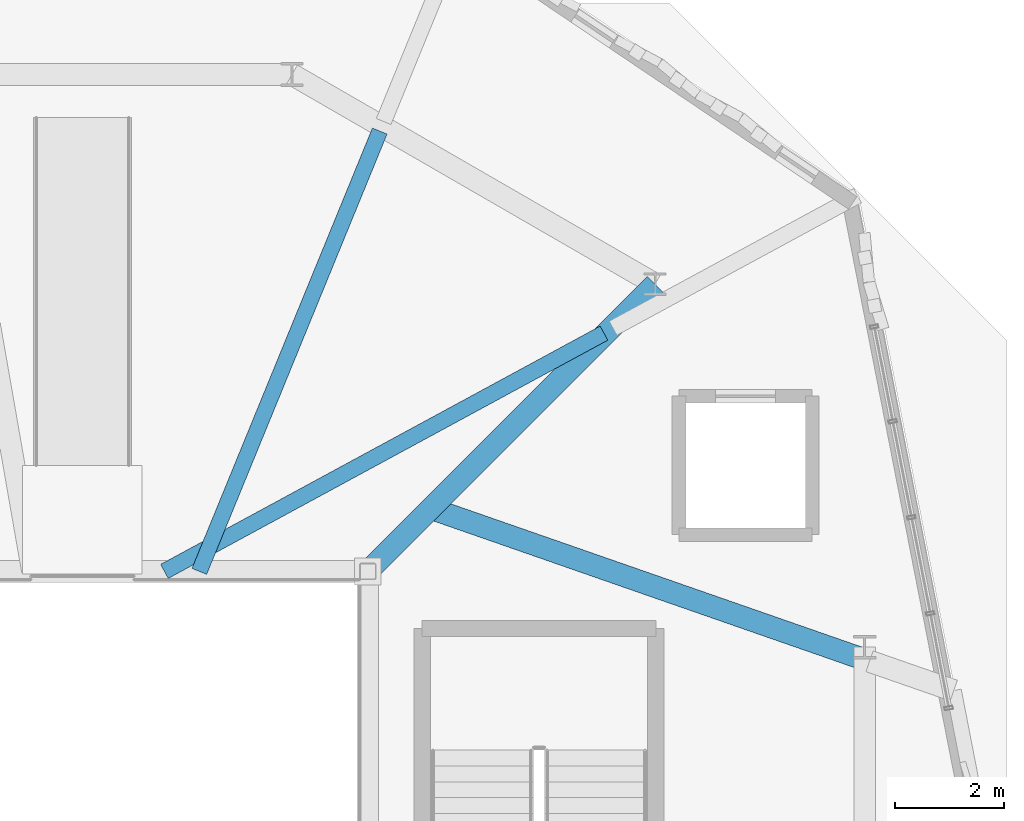
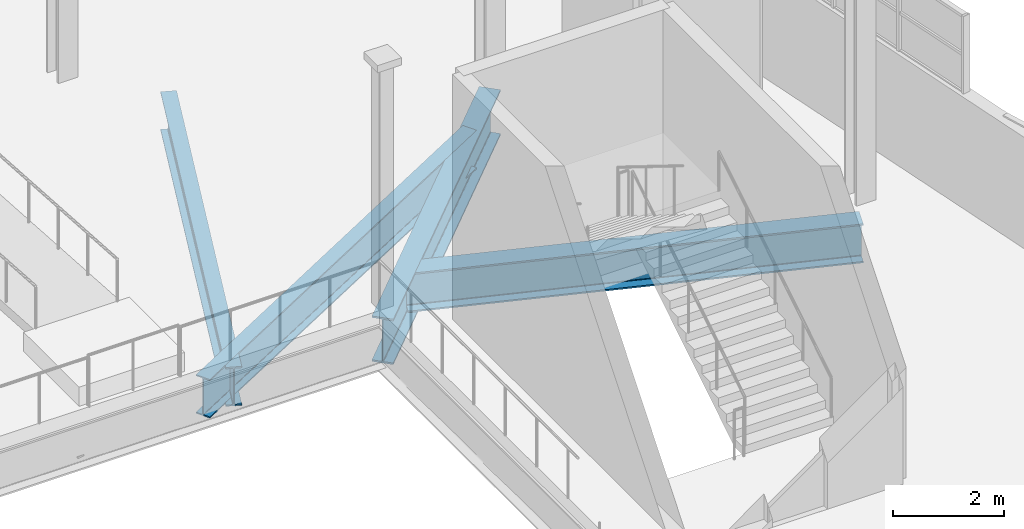
# One storey, part 43 of 142: 4 beams.
"""IFC4 building model written with IfcOpenShell, lengths in metres."""

from ifc_helpers import new_model, si_unit, direction, frame, origin, origin_2d, place, context, subcontext, project, spatial, i_section, extrude, material, material_profile, profile_set, type_object, element, save


model = new_model("IFC4")

# Units and contexts
model_context = context("Model", 3, precision=1e-05, world=origin(), true_north=direction((0.0, 1.0)))
body_context = subcontext(model_context, "Body", "Model", "MODEL_VIEW")
ifc_project = project(units=[si_unit("LENGTHUNIT", "METRE"), si_unit("AREAUNIT", "SQUARE_METRE"), si_unit("VOLUMEUNIT", "CUBIC_METRE"), si_unit("PLANEANGLEUNIT", "RADIAN"), si_unit("MASSUNIT", "GRAM", prefix="KILO"), si_unit("THERMODYNAMICTEMPERATUREUNIT", "KELVIN"), si_unit("POWERUNIT", "WATT")], contexts=[model_context])

# Site, building, storey
site_placement = place(None, origin())
site = spatial("IfcSite", under=ifc_project, at=site_placement, CompositionType="ELEMENT")
building_placement = place(site_placement, origin())
building = spatial("IfcBuilding", under=site, at=building_placement, Name="Zelmaris Science Centre", CompositionType="ELEMENT")
storey_placement = place(building_placement, frame((0.0, 0.0, 5.39990234375)))
storey = spatial("IfcBuildingStorey", under=building, at=storey_placement, Name="L01", CompositionType="ELEMENT", Elevation=5.39990234375)

# Beams
ifc_material = material(Name="Steel ASTM A992 Grade 50", Category="steel")
ifc_material_profile_1 = material_profile(ifc_material, i_section(OverallWidth=0.294921875, OverallDepth=0.85107421875, WebThickness=0.01611328125, FlangeThickness=0.02685546875, FilletRadius=0.02001953125, at=origin_2d()), Name="W33X152")
ifc_profile_set_1 = profile_set([ifc_material_profile_1], Name="Steel ASTM A992 Grade 50")
beam_type_1 = type_object("IfcBeamType", Name="Beam G-06 W33X152", PredefinedType="BEAM", material=ifc_profile_set_1)
beam_1_placement = place(storey_placement, frame((82.50830078125, 41.25, -0.725341796875), z_axis=(0.879149281742, 0.476546472458, 0.0), x_axis=(-0.476546472458, 0.879149281742, 0.0)))
element("IfcBeam", 1, at=beam_1_placement, inside=storey, type_object=beam_type_1, Name="L01 Overhang back-span girder 6", PredefinedType="BEAM", context=body_context, shape_type="SweptSolid", body=[
    extrude(i_section(OverallWidth=0.294921875, OverallDepth=0.85107421875, WebThickness=0.01611328125, FlangeThickness=0.02685546875, FilletRadius=0.02001953125, at=origin_2d()), origin(), (0.0, 0.0, 1.0), 9.198486328125),
])
ifc_material_profile_2 = material_profile(ifc_material, i_section(OverallWidth=0.40087890625, OverallDepth=1.0009765625, WebThickness=0.01904296875, FlangeThickness=0.0361328125, FilletRadius=0.02490234375, at=origin_2d()), Name="W40X249")
ifc_profile_set_2 = profile_set([ifc_material_profile_2], Name="Steel ASTM A992 Grade 50")
beam_type_2 = type_object("IfcBeamType", Name="Beam G-22 W40X249", PredefinedType="BEAM", material=ifc_profile_set_2)
beam_2_placement = place(storey_placement, frame((86.25, 41.25, -0.80029296875), z_axis=(0.707106781187, 0.707106781187, 0.0), x_axis=(-0.707106781187, 0.707106781187, 0.0)))
element("IfcBeam", 2, at=beam_2_placement, inside=storey, type_object=beam_type_2, Name="L01 Atrium diagonal header girder 3", PredefinedType="BEAM", context=body_context, shape_type="SweptSolid", body=[
    extrude(i_section(OverallWidth=0.40087890625, OverallDepth=1.0009765625, WebThickness=0.01904296875, FlangeThickness=0.0361328125, FilletRadius=0.02490234375, at=origin_2d()), origin(), (0.0, 0.0, 1.0), 7.475341796875),
])
ifc_material_profile_3 = material_profile(ifc_material, i_section(OverallWidth=0.404052734375, OverallDepth=0.861083984375, WebThickness=0.019775390625, FlangeThickness=0.032470703125, FilletRadius=0.02001953125, at=origin_2d()), Name="W33X221")
ifc_profile_set_3 = profile_set([ifc_material_profile_3], Name="Steel ASTM A992 Grade 50")
beam_type_3 = type_object("IfcBeamType", Name="Beam G-28 W33X221", PredefinedType="BEAM", material=ifc_profile_set_3)
beam_3_placement = place(storey_placement, frame((87.40869140625, 42.40869140625, -0.73046875), z_axis=(0.944363142761, -0.328904628418, 0.0), x_axis=(0.328904628418, 0.944363142761, 0.0)))
element("IfcBeam", 3, at=beam_3_placement, inside=storey, type_object=beam_type_3, Name="L01 Overhang back-span girder 5", PredefinedType="BEAM", context=body_context, shape_type="SweptSolid", body=[
    extrude(i_section(OverallWidth=0.404052734375, OverallDepth=0.861083984375, WebThickness=0.019775390625, FlangeThickness=0.032470703125, FilletRadius=0.02001953125, at=origin_2d()), origin(), (0.0, 0.0, 1.0), 8.35888671875),
])
ifc_material_profile_4 = material_profile(ifc_material, i_section(OverallWidth=0.2919921875, OverallDepth=0.85888671875, WebThickness=0.01708984375, FlangeThickness=0.031005859375, FilletRadius=0.02001953125, at=origin_2d()), Name="W33X169")
ifc_profile_set_4 = profile_set([ifc_material_profile_4], Name="Steel ASTM A992 Grade 50")
beam_type_4 = type_object("IfcBeamType", Name="Beam G-29 W33X169", PredefinedType="BEAM", material=ifc_profile_set_4)
beam_4_placement = place(storey_placement, frame((83.15087890625, 41.25, -0.7294921875), z_axis=(0.379118132625, 0.925348281197, 0.0), x_axis=(-0.925348281197, 0.379118132625, 0.0)))
element("IfcBeam", 4, at=beam_4_placement, inside=storey, type_object=beam_type_4, Name="L01 Overhang back-span girder 7", PredefinedType="BEAM", context=body_context, shape_type="SweptSolid", body=[
    extrude(i_section(OverallWidth=0.2919921875, OverallDepth=0.85888671875, WebThickness=0.01708984375, FlangeThickness=0.031005859375, FilletRadius=0.02001953125, at=origin_2d()), origin(), (0.0, 0.0, 1.0), 8.75537109375),
])

save(model, "model.ifc")
